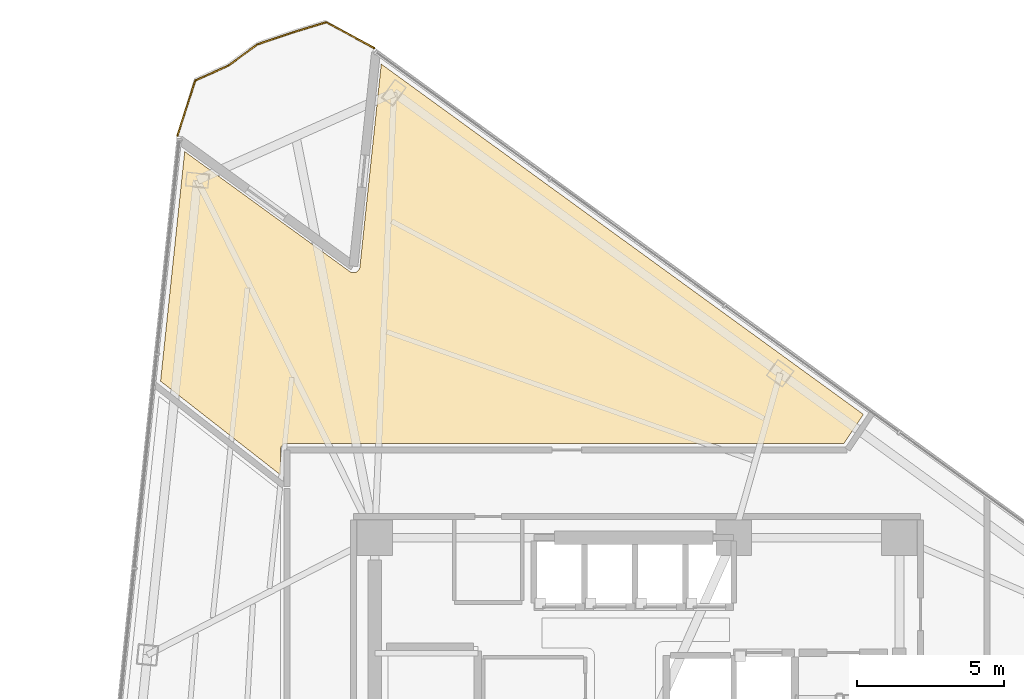
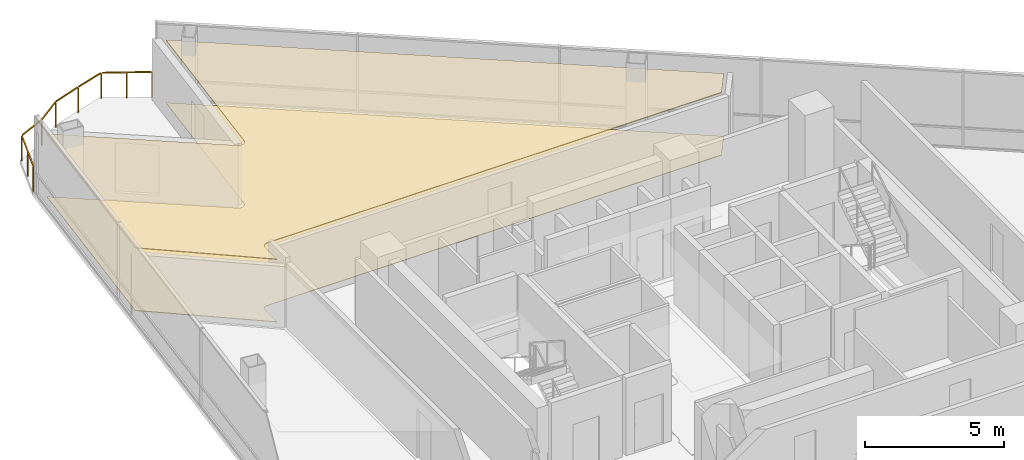
# One storey, part 16 of 16: 2 coverings, 1 railing.
"""IFC4 building model written with IfcOpenShell, lengths in metres."""

from ifc_helpers import new_model, si_unit, direction, frame, origin, origin_2d, place, context, subcontext, project, spatial, polyline, rectangle, outline, extrude, material, layer, layer_set, type_object, element, save


model = new_model("IFC4")

# Units and contexts
model_context = context("Model", 3, precision=1e-05, world=origin(), true_north=direction((0.0, 1.0)))
body_context = subcontext(model_context, "Body", "Model", "MODEL_VIEW")
ifc_project = project(units=[si_unit("LENGTHUNIT", "METRE"), si_unit("AREAUNIT", "SQUARE_METRE"), si_unit("VOLUMEUNIT", "CUBIC_METRE"), si_unit("PLANEANGLEUNIT", "RADIAN"), si_unit("MASSUNIT", "GRAM", prefix="KILO")], contexts=[model_context])

# Site, building, storey
site_placement = place(None, origin())
site = spatial("IfcSite", under=ifc_project, at=site_placement, CompositionType="ELEMENT")
building_placement = place(site_placement, origin())
building = spatial("IfcBuilding", under=site, at=building_placement, Name="Tharavind Bronze Gate", CompositionType="ELEMENT")
storey_placement = place(building_placement, frame((0.0, 0.0, 123.25)))
storey = spatial("IfcBuildingStorey", under=building, at=storey_placement, Name="L31", CompositionType="ELEMENT", Elevation=123.25)

# Coverings
ifc_material_1 = material(Name="Engineered Oak & Carpet Tile", Category="wood")
ifc_layer_1 = layer(ifc_material_1, 0.02490234375)
ifc_layer_set_1 = layer_set([ifc_layer_1], Name="Engineered Oak & Carpet Tile")
covering_type_1 = type_object("IfcCoveringType", Name="ENGINEERED TIMBER FLOORING", PredefinedType="FLOORING", material=ifc_layer_set_1)
covering_1_placement = place(storey_placement, origin())
element("IfcCovering", 1, at=covering_1_placement, inside=storey, type_object=covering_type_1, Name="L31-RM-01 floor finish", PredefinedType="FLOORING", context=body_context, shape_type="SweptSolid", body=[
    extrude(outline(polyline([(-12.10009765625, 9.732666015625), (-12.10009765625, 10.579345703125), (-12.099609375, 10.590087890625), (-12.099609375, 10.5908203125), (-12.09765625, 10.6123046875), (-12.093505859375, 10.63330078125), (-12.087158203125, 10.654052734375), (-12.078857421875, 10.674072265625), (-12.068603515625, 10.693115234375), (-12.056640625, 10.7109375), (-12.04296875, 10.727783203125), (-12.027587890625, 10.742919921875), (-12.010986328125, 10.756591796875), (-11.9931640625, 10.768798828125), (-11.97412109375, 10.77880859375), (-11.9541015625, 10.787109375), (-11.933349609375, 10.79345703125), (-11.912353515625, 10.797607421875), (-11.890869140625, 10.7998046875), (-11.89013671875, 10.7998046875), (-11.87939453125, 10.800048828125), (7.019287109375, 10.800048828125), (7.681396484375, 11.78173828125), (-8.6796875, 23.6689453125), (-9.40283203125, 16.78857421875), (-9.404296875, 16.777587890625), (-9.404296875, 16.777099609375), (-9.408935546875, 16.755615234375), (-9.41552734375, 16.734619140625), (-9.424072265625, 16.714599609375), (-9.434814453125, 16.6953125), (-9.447021484375, 16.67724609375), (-9.461181640625, 16.660400390625), (-9.47705078125, 16.645263671875), (-9.494384765625, 16.631591796875), (-9.5126953125, 16.619873046875), (-9.5322265625, 16.610107421875), (-9.552734375, 16.60205078125), (-9.573974609375, 16.59619140625), (-9.595703125, 16.592529296875), (-9.617431640625, 16.591064453125), (-9.639404296875, 16.591796875), (-9.6611328125, 16.594482421875), (-9.6826171875, 16.599609375), (-9.703125, 16.606689453125), (-9.72314453125, 16.61572265625), (-9.7421875, 16.626708984375), (-9.74267578125, 16.627197265625), (-9.751708984375, 16.63330078125), (-15.3486328125, 20.69970703125), (-16.167236328125, 12.910400390625), (-12.10009765625, 9.732666015625)])), origin(), (0.0, 0.0, 1.0), 0.02490234375),
])
ifc_material_2 = material(Name="Acoustic Gypsum Board", Category="gypsum")
ifc_layer_2 = layer(ifc_material_2, 0.030029296875)
ifc_layer_set_2 = layer_set([ifc_layer_2], Name="Acoustic Gypsum Board")
covering_type_2 = type_object("IfcCoveringType", Name="GYPSUM SUSPENDED CEILING", PredefinedType="CEILING", material=ifc_layer_set_2)
covering_2_placement = place(storey_placement, frame((0.0, 0.0, 2.75)))
element("IfcCovering", 2, at=covering_2_placement, inside=storey, type_object=covering_type_2, Name="L31-RM-01 suspended ceiling", PredefinedType="CEILING", context=body_context, shape_type="SweptSolid", body=[
    extrude(outline(polyline([(-12.10009765625, 9.732666015625), (-12.10009765625, 10.579345703125), (-12.099609375, 10.590087890625), (-12.099609375, 10.5908203125), (-12.09765625, 10.6123046875), (-12.093505859375, 10.63330078125), (-12.087158203125, 10.654052734375), (-12.078857421875, 10.674072265625), (-12.068603515625, 10.693115234375), (-12.056640625, 10.7109375), (-12.04296875, 10.727783203125), (-12.027587890625, 10.742919921875), (-12.010986328125, 10.756591796875), (-11.9931640625, 10.768798828125), (-11.97412109375, 10.77880859375), (-11.9541015625, 10.787109375), (-11.933349609375, 10.79345703125), (-11.912353515625, 10.797607421875), (-11.890869140625, 10.7998046875), (-11.89013671875, 10.7998046875), (-11.87939453125, 10.800048828125), (7.019287109375, 10.800048828125), (7.681396484375, 11.78173828125), (-8.6796875, 23.6689453125), (-9.40283203125, 16.78857421875), (-9.404296875, 16.777587890625), (-9.404296875, 16.777099609375), (-9.408935546875, 16.755615234375), (-9.41552734375, 16.734619140625), (-9.424072265625, 16.714599609375), (-9.434814453125, 16.6953125), (-9.447021484375, 16.67724609375), (-9.461181640625, 16.660400390625), (-9.47705078125, 16.645263671875), (-9.494384765625, 16.631591796875), (-9.5126953125, 16.619873046875), (-9.5322265625, 16.610107421875), (-9.552734375, 16.60205078125), (-9.573974609375, 16.59619140625), (-9.595703125, 16.592529296875), (-9.617431640625, 16.591064453125), (-9.639404296875, 16.591796875), (-9.6611328125, 16.594482421875), (-9.6826171875, 16.599609375), (-9.703125, 16.606689453125), (-9.72314453125, 16.61572265625), (-9.7421875, 16.626708984375), (-9.74267578125, 16.627197265625), (-9.751708984375, 16.63330078125), (-15.3486328125, 20.69970703125), (-16.167236328125, 12.910400390625), (-12.10009765625, 9.732666015625)])), origin(), (0.0, 0.0, 1.0), 0.034912109375),
])

# Railing
ifc_material_3 = material(Name="Bronze Cap & Laminated Glass", Category="glass")
railing_type = type_object("IfcRailingType", Name="TERRACE GLASS GUARD RAILING 1150", PredefinedType="GUARDRAIL", material=ifc_material_3)
railing_placement = place(storey_placement, frame((-15.5927734375, 21.247802734375, 0.0)))
element("IfcRailing", 3, at=railing_placement, inside=storey, type_object=railing_type, Name="L31 tree balcony guard railing", PredefinedType="GUARDRAIL", context=body_context, shape_type="SweptSolid", body=[
    extrude(rectangle(XDim=0.048095703125, YDim=0.048095703125, at=origin_2d()), frame((0.009765625, 0.030517578125, 1.1259765625), z_axis=(0.305964803424, 0.952042824176, 0.0), x_axis=(-0.952042824176, 0.305964803424, 0.0)), (0.0, 0.0, 1.0), 1.89501953125),
    extrude(rectangle(XDim=0.048095703125, YDim=0.048095703125, at=origin_2d()), frame((0.628662109375, 1.8779296875, 1.1259765625), z_axis=(0.913480304847, 0.406882947119, 0.0), x_axis=(-0.406882947119, 0.913480304847, 0.0)), (0.0, 0.0, 1.0), 1.15283203125),
    extrude(rectangle(XDim=0.048095703125, YDim=0.048095703125, at=origin_2d()), frame((1.73681640625, 2.37890625, 1.1259765625), z_axis=(0.808328551704, 0.588731647272, 0.0), x_axis=(-0.588731647272, 0.808328551704, 0.0)), (0.0, 0.0, 1.0), 1.18017578125),
    extrude(rectangle(XDim=0.048095703125, YDim=0.048095703125, at=origin_2d()), frame((2.746826171875, 3.102783203125, 1.1259765625), z_axis=(0.947113235221, 0.32089954763, 0.0), x_axis=(-0.32089954763, 0.947113235221, 0.0)), (0.0, 0.0, 1.0), 1.157958984375),
    extrude(rectangle(XDim=0.048095703125, YDim=0.048095703125, at=origin_2d()), frame((3.904296875, 3.493896484375, 1.1259765625), z_axis=(0.955925323722, 0.293609903556, 0.0), x_axis=(-0.293609903556, 0.955925323722, 0.0)), (0.0, 0.0, 1.0), 1.16162109375),
    extrude(rectangle(XDim=0.048095703125, YDim=0.048095703125, at=origin_2d()), frame((5.073486328125, 3.829345703125, 1.1259765625), z_axis=(0.880237226365, -0.474533903236, 0.0), x_axis=(0.474533903236, 0.880237226365, 0.0)), (0.0, 0.0, 1.0), 1.780517578125),
    extrude(rectangle(XDim=0.0400390625, YDim=0.0400390625, at=origin_2d()), origin(), (0.0, 0.0, 1.0), 1.097900390625),
    extrude(rectangle(XDim=0.0400390625, YDim=0.0400390625, at=origin_2d()), frame((0.2998046875, 0.9326171875, 0.0)), (0.0, 0.0, 1.0), 1.097900390625),
    extrude(rectangle(XDim=0.0400390625, YDim=0.0400390625, at=origin_2d()), frame((0.599365234375, 1.864990234375, 0.0)), (0.0, 0.0, 1.0), 1.097900390625),
    extrude(rectangle(XDim=0.0400390625, YDim=0.0400390625, at=origin_2d()), frame((1.7109375, 2.360107421875, 0.0)), (0.0, 0.0, 1.0), 1.097900390625),
    extrude(rectangle(XDim=0.0400390625, YDim=0.0400390625, at=origin_2d()), frame((2.716552734375, 3.092529296875, 0.0)), (0.0, 0.0, 1.0), 1.097900390625),
    extrude(rectangle(XDim=0.0400390625, YDim=0.0400390625, at=origin_2d()), frame((3.873779296875, 3.484619140625, 0.0)), (0.0, 0.0, 1.0), 1.097900390625),
    extrude(rectangle(XDim=0.0400390625, YDim=0.0400390625, at=origin_2d()), frame((5.04541015625, 3.844482421875, 0.0)), (0.0, 0.0, 1.0), 1.097900390625),
    extrude(rectangle(XDim=0.0400390625, YDim=0.0400390625, at=origin_2d()), frame((5.857177734375, 3.40673828125, 0.0)), (0.0, 0.0, 1.0), 1.097900390625),
    extrude(rectangle(XDim=0.0400390625, YDim=0.0400390625, at=origin_2d()), frame((6.6689453125, 2.96923828125, 0.0)), (0.0, 0.0, 1.0), 1.097900390625),
])

save(model, "model.ifc")
